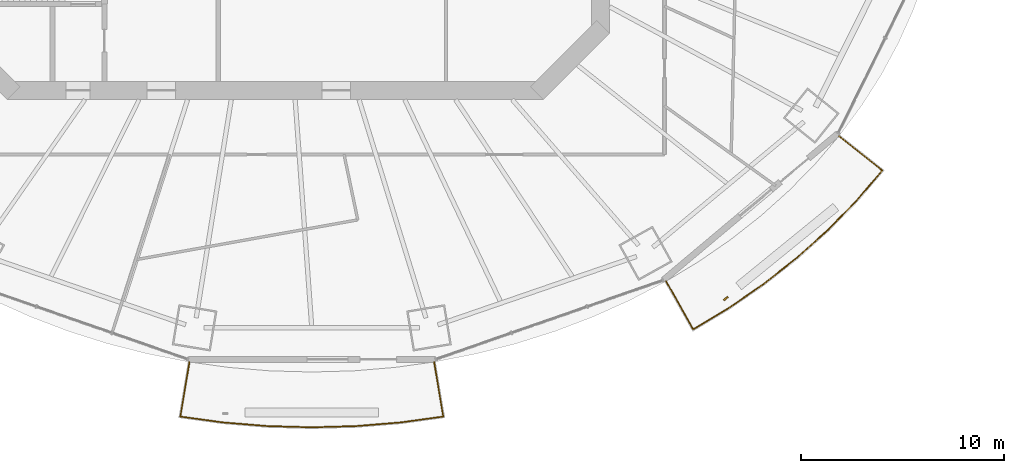
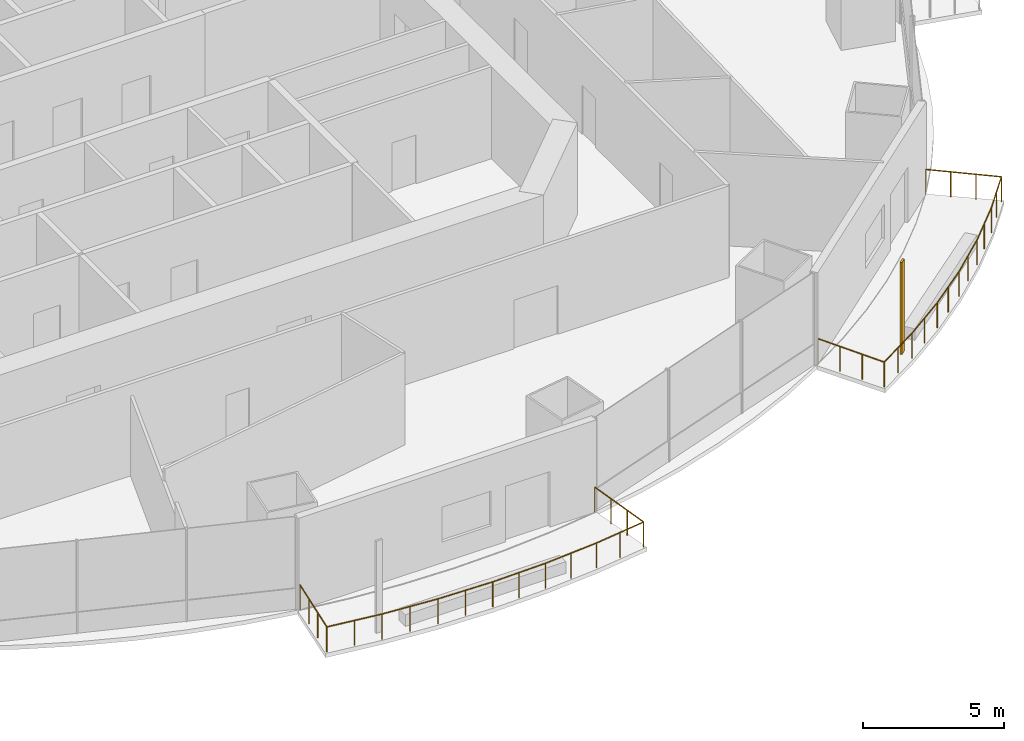
# One storey, part 16 of 20: 2 railings, 1 shading device.
"""IFC4 building model written with IfcOpenShell, lengths in metres."""

import ifcopenshell
import ifcopenshell.guid

model = None  # the IFC model being written
_history = None  # IfcOwnerHistory: only IFC2X3 demands one
_inside = {}  # id of a spatial element -> (the spatial element, [elements in it])
_under = {}  # id of a project, library or spatial element -> (it, [spatial elements below it])
_declared = {}  # id of a project -> (the project, [libraries it declares])
_typed = {}  # id of a type object -> (the type object, [elements of that type])
_made_of = {}  # id of a material, layer set ... -> (it, [elements and type objects made of it])


def new_model(schema):
    """Start an empty IFC model of exactly this schema.

    Asked for "IFC4X3", IfcOpenShell would pick the latest addendum, in which some entities
    have other attributes; the version numbers below select the first issue.
    IFC2X3 requires an IfcOwnerHistory on every rooted entity: one is made here for all.
    """
    global model, _history
    if schema == "IFC4X3":
        model = ifcopenshell.file(schema_version=(4, 3, 0, 0))
    else:
        model = ifcopenshell.file(schema=schema)
    _inside.clear()
    _under.clear()
    _declared.clear()
    _typed.clear()
    _made_of.clear()
    _history = None
    if model.schema == "IFC2X3":
        org = make("IfcOrganization", Name="unknown")
        user = make(
            "IfcPersonAndOrganization",
            ThePerson=make("IfcPerson", FamilyName="unknown"),
            TheOrganization=org,
        )
        app = make(
            "IfcApplication",
            ApplicationDeveloper=org,
            Version="unknown",
            ApplicationFullName="unknown",
            ApplicationIdentifier="unknown",
        )
        _history = make(
            "IfcOwnerHistory",
            OwningUser=user,
            OwningApplication=app,
            ChangeAction="ADDED",
            CreationDate=0,
        )
    return model


def make(cls, **values):
    """One entity of the class cls with the attributes given. An attribute that is None is left unset."""
    return model.create_entity(
        cls, **{name: value for name, value in values.items() if value is not None}
    )


def rooted(cls, **values):
    """An entity with a GlobalId (a new one), such as an element, a storey or a relation."""
    return make(cls, GlobalId=ifcopenshell.guid.new(), OwnerHistory=_history, **values)


def si_unit(unit_type, name, prefix=None):
    """IfcSIUnit, for example si_unit("LENGTHUNIT", "METRE", prefix="MILLI")."""
    return make("IfcSIUnit", UnitType=unit_type, Prefix=prefix, Name=name)


def assignment(units):
    """IfcUnitAssignment: the units of a project."""
    return None if units is None else make("IfcUnitAssignment", Units=units)


def point(xyz):
    """IfcCartesianPoint."""
    return None if xyz is None else make("IfcCartesianPoint", Coordinates=xyz)


def direction(xyz):
    """IfcDirection."""
    return None if xyz is None else make("IfcDirection", DirectionRatios=xyz)


def frame(location, z_axis=None, x_axis=None):
    """IfcAxis2Placement3D, a coordinate frame: its origin and axes. An axis left out is left unset."""
    return make(
        "IfcAxis2Placement3D",
        Location=point(location),
        Axis=direction(z_axis),
        RefDirection=direction(x_axis),
    )


def frame_2d(location, x_axis=None):
    """IfcAxis2Placement2D, a coordinate frame in the plane: its origin and x axis."""
    return make(
        "IfcAxis2Placement2D", Location=point(location), RefDirection=direction(x_axis)
    )


def origin():
    """The frame at (0, 0, 0) with its axes left unset."""
    return frame((0.0, 0.0, 0.0))


def origin_2d():
    """The frame at (0, 0) in the plane with its x axis left unset."""
    return frame_2d((0.0, 0.0))


def place(relative_to, where):
    """IfcLocalPlacement: puts the frame where relative to a parent placement (None: the world)."""
    return make(
        "IfcLocalPlacement", PlacementRelTo=relative_to, RelativePlacement=where
    )


def context(
    kind, dimensions, precision=None, world=None, true_north=None, identifier=None
):
    """IfcGeometricRepresentationContext, for example the 3D "Model" context."""
    return make(
        "IfcGeometricRepresentationContext",
        ContextIdentifier=identifier,
        ContextType=kind,
        CoordinateSpaceDimension=dimensions,
        Precision=precision,
        WorldCoordinateSystem=world,
        TrueNorth=true_north,
    )


def subcontext(parent, identifier, kind, view, scale=None):
    """IfcGeometricRepresentationSubContext, for example "Body" below "Model"."""
    return make(
        "IfcGeometricRepresentationSubContext",
        ContextIdentifier=identifier,
        ContextType=kind,
        ParentContext=parent,
        TargetScale=scale,
        TargetView=view,
    )


def project(units=None, contexts=None):
    """IfcProject with its units and contexts."""
    return rooted(
        "IfcProject",
        Name="project",
        RepresentationContexts=contexts,
        UnitsInContext=assignment(units),
    )


def spatial(cls, under=None, at=None, **own):
    """A site, building, storey or space (cls), placed at a placement, below another one or the project."""
    s = rooted(cls, ObjectPlacement=at, **own)
    if under is not None:
        _under.setdefault(under.id(), (under, []))[1].append(s)
    return s


def profile(cls, at=None, kind="AREA", **sizes):
    """A parametric profile (cls). Its sizes go by their IFC names, for example OverallWidth=200.0."""
    return make(cls, ProfileType=kind, Position=at, **sizes)


def rectangle(**sizes):
    """IfcRectangleProfileDef."""
    return profile("IfcRectangleProfileDef", **sizes)


def circle(**sizes):
    """IfcCircleProfileDef."""
    return profile("IfcCircleProfileDef", **sizes)


def extrude(swept, where, along, depth):
    """IfcExtrudedAreaSolid: the profile swept, set in the frame where, extruded along a direction by depth."""
    return make(
        "IfcExtrudedAreaSolid",
        SweptArea=swept,
        Position=where,
        ExtrudedDirection=direction(along),
        Depth=depth,
    )


def shape(context_of_items, identifier, shape_type, items):
    """IfcShapeRepresentation: the items that make up one representation, for example the "Body"."""
    return make(
        "IfcShapeRepresentation",
        ContextOfItems=context_of_items,
        RepresentationIdentifier=identifier,
        RepresentationType=shape_type,
        Items=items,
    )


def material(Name=None, Category=None):
    """IfcMaterial."""
    return make("IfcMaterial", Name=Name, Category=Category)


def material_profile(
    of_material, cross_section, Name=None, Category=None, Priority=None
):
    """IfcMaterialProfile: a cross section and its material."""
    return make(
        "IfcMaterialProfile",
        Name=Name,
        Material=of_material,
        Profile=cross_section,
        Priority=Priority,
        Category=Category,
    )


def profile_set(profiles, Name=None, composite=None):
    """IfcMaterialProfileSet."""
    return make(
        "IfcMaterialProfileSet",
        Name=Name,
        MaterialProfiles=profiles,
        CompositeProfile=composite,
    )


def made_of(thing, what):
    """Note that an element or type object is made of a material, layer set ...; save() writes the relation."""
    if what is not None:
        _made_of.setdefault(what.id(), (what, []))[1].append(thing)
    return thing


def type_object(cls, material=None, **own):
    """A type object (cls), such as IfcWallType, which elements share."""
    return made_of(rooted(cls, **own), material)


def element(
    cls,
    number,
    at=None,
    inside=None,
    cuts=None,
    type_object=None,
    material=None,
    context=None,
    identifier="Body",
    shape_type=None,
    held_by="IfcProductDefinitionShape",
    body=None,
    shapes=None,
    **own,
):
    """One element of the class cls, such as IfcWall. Its Tag is "e" and its number.

    at: its placement. inside: the storey or other place that contains it. cuts: it is an
    opening in that element (IfcRelVoidsElement). A single representation is given by context,
    identifier, shape_type and body (its items); several are given by shapes. held_by: the class
    of the entity that holds the representations. save() writes the other relations.
    """
    e = rooted(cls, Tag="e%d" % number, ObjectPlacement=at, **own)
    if body is not None:
        shapes = [shape(context, identifier, shape_type, body)]
    if shapes is not None:
        e.Representation = make(held_by, Representations=shapes)
    if inside is not None:
        _inside.setdefault(inside.id(), (inside, []))[1].append(e)
    if cuts is not None:
        rooted(
            "IfcRelVoidsElement", RelatingBuildingElement=cuts, RelatedOpeningElement=e
        )
    if type_object is not None:
        _typed.setdefault(type_object.id(), (type_object, []))[1].append(e)
    return made_of(e, material)


def aggregate(whole, parts):
    """IfcRelAggregates: a whole, such as a stair, and the parts it consists of."""
    return rooted("IfcRelAggregates", RelatingObject=whole, RelatedObjects=parts)


def save(model, path):
    """Write the relations noted so far, then the file.

    IfcRelAggregates (storeys below a building ...), IfcRelContainedInSpatialStructure (elements
    in a storey), IfcRelDefinesByType, IfcRelAssociatesMaterial and IfcRelDeclares: one each for
    every whole, place, type object, material and project.
    """
    for whole, parts in _under.values():
        aggregate(whole, parts)
    for where, things in _inside.values():
        rooted(
            "IfcRelContainedInSpatialStructure",
            RelatedElements=things,
            RelatingStructure=where,
        )
    for kind, things in _typed.values():
        rooted("IfcRelDefinesByType", RelatedObjects=things, RelatingType=kind)
    for what, things in _made_of.values():
        rooted("IfcRelAssociatesMaterial", RelatedObjects=things, RelatingMaterial=what)
    for by, libraries in _declared.values():
        rooted("IfcRelDeclares", RelatingContext=by, RelatedDefinitions=libraries)
    model.write(path)


model = new_model("IFC4")

# Units and contexts
model_context = context("Model", 3, precision=1e-05, world=origin(), true_north=direction((0.0, 1.0)))
body_context = subcontext(model_context, "Body", "Model", "MODEL_VIEW")
ifc_project = project(units=[si_unit("LENGTHUNIT", "METRE"), si_unit("AREAUNIT", "SQUARE_METRE"), si_unit("VOLUMEUNIT", "CUBIC_METRE"), si_unit("PLANEANGLEUNIT", "RADIAN"), si_unit("MASSUNIT", "GRAM", prefix="KILO")], contexts=[model_context])

# Site, building, storey
site_placement = place(None, origin())
site = spatial("IfcSite", under=ifc_project, at=site_placement, CompositionType="ELEMENT")
building_placement = place(site_placement, origin())
building = spatial("IfcBuilding", under=site, at=building_placement, Name="Marenthal Gate Tower", CompositionType="ELEMENT")
storey_placement = place(building_placement, frame((0.0, 0.0, 210.85009765625)))
storey = spatial("IfcBuildingStorey", under=building, at=storey_placement, Name="L46", CompositionType="ELEMENT", Elevation=210.85009765625)

# Railings
ifc_material_1 = material(Name="Stainless steel", Category="steel")
railing_type = type_object("IfcRailingType", Name="Balcony guard 1100", PredefinedType="GUARDRAIL", material=ifc_material_1)
railing_1_placement = place(storey_placement, frame((7.817626953125, -26.35888671875, 0.0)))
element("IfcRailing", 1, at=railing_1_placement, inside=storey, type_object=railing_type, Name="Balcony guard L46 bay 12", PredefinedType="GUARDRAIL", context=body_context, shape_type="SweptSolid", body=[
    extrude(circle(Radius=0.02392578125, at=origin_2d()), frame((0.0, 0.0, 1.076171875), z_axis=(0.164963320777, -0.986189863276, -0.014719251691), x_axis=(0.986296712796, 0.164981193859, 0.0)), (0.0, 0.0, 1.0), 2.72021484375),
    extrude(circle(Radius=0.02392578125, at=origin_2d()), frame((0.44873046875, -2.6826171875, 1.0361328125), z_axis=(-0.990663789329, -0.136327754009, 0.0), x_axis=(0.136327754009, -0.990663789329, 0.0)), (0.0, 0.0, 1.0), 2.10791015625),
    extrude(circle(Radius=0.02392578125, at=origin_2d()), frame((-1.639404296875, -2.969970703125, 1.0361328125), z_axis=(-0.996589397045, -0.082520141157, 0.0), x_axis=(0.082520141157, -0.996589397045, 0.0)), (0.0, 0.0, 1.0), 2.1923828125),
    extrude(circle(Radius=0.02392578125, at=origin_2d()), frame((-3.82421875, -3.15087890625, 1.0361328125), z_axis=(-0.999622272762, -0.027482936484, 0.0), x_axis=(0.027482936484, -0.999622272762, 0.0)), (0.0, 0.0, 1.0), 2.194091796875),
    extrude(circle(Radius=0.02392578125, at=origin_2d()), frame((-6.017578125, -3.211181640625, 1.0361328125), z_axis=(-0.999622356789, 0.027479880036, 0.0), x_axis=(-0.027479880036, -0.999622356789, 0.0)), (0.0, 0.0, 1.0), 2.1943359375),
    extrude(circle(Radius=0.02392578125, at=origin_2d()), frame((-8.211181640625, -3.15087890625, 1.0361328125), z_axis=(-0.996588638583, 0.082529300535, 0.0), x_axis=(-0.082529300535, -0.996588638583, 0.0)), (0.0, 0.0, 1.0), 2.192138671875),
    extrude(circle(Radius=0.02392578125, at=origin_2d()), frame((-10.395751953125, -2.969970703125, 1.0361328125), z_axis=(-0.990663789329, 0.136327754009, 0.0), x_axis=(-0.136327754009, -0.990663789329, 0.0)), (0.0, 0.0, 1.0), 2.10791015625),
    extrude(circle(Radius=0.02392578125, at=origin_2d()), frame((-12.48388671875, -2.6826171875, 1.0361328125), z_axis=(0.164876009703, 0.98620446087, 0.014719469565), x_axis=(-0.986311315136, 0.164893873854, 0.0)), (0.0, 0.0, 1.0), 2.72021484375),
    extrude(circle(Radius=0.02099609375, at=origin_2d()), origin(), (0.0, 0.0, 1.0), 1.052001953125),
    extrude(circle(Radius=0.02099609375, at=origin_2d()), frame((0.149658203125, -0.894287109375, -0.013427734375)), (0.0, 0.0, 1.0), 1.052001953125),
    extrude(circle(Radius=0.02099609375, at=origin_2d()), frame((0.299072265625, -1.788330078125, -0.026611328125)), (0.0, 0.0, 1.0), 1.052001953125),
    extrude(circle(Radius=0.02099609375, at=origin_2d()), frame((0.44873046875, -2.6826171875, -0.0400390625)), (0.0, 0.0, 1.0), 1.052001953125),
    extrude(circle(Radius=0.02099609375, at=origin_2d()), frame((-0.59521484375, -2.826171875, -0.0400390625)), (0.0, 0.0, 1.0), 1.052001953125),
    extrude(circle(Radius=0.02099609375, at=origin_2d()), frame((-1.639404296875, -2.969970703125, -0.0400390625)), (0.0, 0.0, 1.0), 1.052001953125),
    extrude(circle(Radius=0.02099609375, at=origin_2d()), frame((-2.73193359375, -3.060546875, -0.0400390625)), (0.0, 0.0, 1.0), 1.052001953125),
    extrude(circle(Radius=0.02099609375, at=origin_2d()), frame((-3.82421875, -3.15087890625, -0.0400390625)), (0.0, 0.0, 1.0), 1.052001953125),
    extrude(circle(Radius=0.02099609375, at=origin_2d()), frame((-4.9208984375, -3.18115234375, -0.0400390625)), (0.0, 0.0, 1.0), 1.052001953125),
    extrude(circle(Radius=0.02099609375, at=origin_2d()), frame((-6.017578125, -3.211181640625, -0.0400390625)), (0.0, 0.0, 1.0), 1.052001953125),
    extrude(circle(Radius=0.02099609375, at=origin_2d()), frame((-7.1142578125, -3.18115234375, -0.0400390625)), (0.0, 0.0, 1.0), 1.052001953125),
    extrude(circle(Radius=0.02099609375, at=origin_2d()), frame((-8.211181640625, -3.15087890625, -0.0400390625)), (0.0, 0.0, 1.0), 1.052001953125),
    extrude(circle(Radius=0.02099609375, at=origin_2d()), frame((-9.303466796875, -3.060546875, -0.0400390625)), (0.0, 0.0, 1.0), 1.052001953125),
    extrude(circle(Radius=0.02099609375, at=origin_2d()), frame((-10.395751953125, -2.969970703125, -0.0400390625)), (0.0, 0.0, 1.0), 1.052001953125),
    extrude(circle(Radius=0.02099609375, at=origin_2d()), frame((-11.43994140625, -2.826171875, -0.0400390625)), (0.0, 0.0, 1.0), 1.052001953125),
    extrude(circle(Radius=0.02099609375, at=origin_2d()), frame((-12.48388671875, -2.6826171875, -0.0400390625)), (0.0, 0.0, 1.0), 1.052001953125),
    extrude(circle(Radius=0.02099609375, at=origin_2d()), frame((-12.33447265625, -1.788330078125, -0.026611328125)), (0.0, 0.0, 1.0), 1.052001953125),
    extrude(circle(Radius=0.02099609375, at=origin_2d()), frame((-12.184814453125, -0.894287109375, -0.013427734375)), (0.0, 0.0, 1.0), 1.052001953125),
    extrude(circle(Radius=0.02099609375, at=origin_2d()), frame((-12.035400390625, 0.0, 0.0)), (0.0, 0.0, 1.0), 1.052001953125),
])
railing_2_placement = place(storey_placement, frame((27.733642578125, -15.246337890625, 0.0)))
element("IfcRailing", 2, at=railing_2_placement, inside=storey, type_object=railing_type, Name="Balcony guard L46 bay 14", PredefinedType="GUARDRAIL", context=body_context, shape_type="SweptSolid", body=[
    extrude(circle(Radius=0.02392578125, at=origin_2d()), frame((0.0, 0.0, 1.076171875), z_axis=(0.782820273023, -0.622073757432, -0.014719390596), x_axis=(0.622141157777, 0.782905089905, 0.0)), (0.0, 0.0, 1.0), 2.72021484375),
    extrude(circle(Radius=0.02392578125, at=origin_2d()), frame((2.12939453125, -1.692138671875, 1.0361328125), z_axis=(-0.650003821806, -0.759930938729, 0.0), x_axis=(0.759930938729, -0.650003821806, 0.0)), (0.0, 0.0, 1.0), 1.941162109375),
    extrude(circle(Radius=0.02392578125, at=origin_2d()), frame((0.86767578125, -3.167236328125, 1.0361328125), z_axis=(-0.698730968348, -0.715384535667, 0.0), x_axis=(0.715384535667, -0.698730968348, 0.0)), (0.0, 0.0, 1.0), 2.037841796875),
    extrude(circle(Radius=0.02392578125, at=origin_2d()), frame((-0.55615234375, -4.625, 1.0361328125), z_axis=(-0.744433020663, -0.667697145229, 0.0), x_axis=(0.667697145229, -0.744433020663, 0.0)), (0.0, 0.0, 1.0), 2.05517578125),
    extrude(circle(Radius=0.02392578125, at=origin_2d()), frame((-2.086181640625, -5.997314453125, 1.0361328125), z_axis=(-0.785888916209, -0.618367699173, 0.0), x_axis=(0.618367699173, -0.785888916209, 0.0)), (0.0, 0.0, 1.0), 2.072265625),
    extrude(circle(Radius=0.02392578125, at=origin_2d()), frame((-3.71484375, -7.27880859375, 1.0361328125), z_axis=(-0.823321977979, -0.567574594724, 0.0), x_axis=(0.567574594724, -0.823321977979, 0.0)), (0.0, 0.0, 1.0), 2.089599609375),
    extrude(circle(Radius=0.02392578125, at=origin_2d()), frame((-5.435302734375, -8.46484375, 1.0361328125), z_axis=(-0.856139874466, -0.51674414883, 0.0), x_axis=(0.51674414883, -0.856139874466, 0.0)), (0.0, 0.0, 1.0), 2.0263671875),
    extrude(circle(Radius=0.02392578125, at=origin_2d()), frame((-7.170166015625, -9.511962890625, 1.0361328125), z_axis=(-0.489692426364, 0.871770992902, 0.014719493754), x_axis=(-0.871865448727, -0.489745484223, 0.0)), (0.0, 0.0, 1.0), 2.72021484375),
    extrude(circle(Radius=0.02099609375, at=origin_2d()), origin(), (0.0, 0.0, 1.0), 1.052001953125),
    extrude(circle(Radius=0.02099609375, at=origin_2d()), frame((0.709716796875, -0.56396484375, -0.013427734375)), (0.0, 0.0, 1.0), 1.052001953125),
    extrude(circle(Radius=0.02099609375, at=origin_2d()), frame((1.419677734375, -1.128173828125, -0.026611328125)), (0.0, 0.0, 1.0), 1.052001953125),
    extrude(circle(Radius=0.02099609375, at=origin_2d()), frame((2.12939453125, -1.692138671875, -0.0400390625)), (0.0, 0.0, 1.0), 1.052001953125),
    extrude(circle(Radius=0.02099609375, at=origin_2d()), frame((1.49853515625, -2.4296875, -0.0400390625)), (0.0, 0.0, 1.0), 1.052001953125),
    extrude(circle(Radius=0.02099609375, at=origin_2d()), frame((0.86767578125, -3.167236328125, -0.0400390625)), (0.0, 0.0, 1.0), 1.052001953125),
    extrude(circle(Radius=0.02099609375, at=origin_2d()), frame((0.15576171875, -3.89599609375, -0.0400390625)), (0.0, 0.0, 1.0), 1.052001953125),
    extrude(circle(Radius=0.02099609375, at=origin_2d()), frame((-0.55615234375, -4.625, -0.0400390625)), (0.0, 0.0, 1.0), 1.052001953125),
    extrude(circle(Radius=0.02099609375, at=origin_2d()), frame((-1.3212890625, -5.31103515625, -0.0400390625)), (0.0, 0.0, 1.0), 1.052001953125),
    extrude(circle(Radius=0.02099609375, at=origin_2d()), frame((-2.086181640625, -5.997314453125, -0.0400390625)), (0.0, 0.0, 1.0), 1.052001953125),
    extrude(circle(Radius=0.02099609375, at=origin_2d()), frame((-2.900390625, -6.63818359375, -0.0400390625)), (0.0, 0.0, 1.0), 1.052001953125),
    extrude(circle(Radius=0.02099609375, at=origin_2d()), frame((-3.71484375, -7.27880859375, -0.0400390625)), (0.0, 0.0, 1.0), 1.052001953125),
    extrude(circle(Radius=0.02099609375, at=origin_2d()), frame((-4.5751953125, -7.871826171875, -0.0400390625)), (0.0, 0.0, 1.0), 1.052001953125),
    extrude(circle(Radius=0.02099609375, at=origin_2d()), frame((-5.435302734375, -8.46484375, -0.0400390625)), (0.0, 0.0, 1.0), 1.052001953125),
    extrude(circle(Radius=0.02099609375, at=origin_2d()), frame((-6.302734375, -8.98828125, -0.0400390625)), (0.0, 0.0, 1.0), 1.052001953125),
    extrude(circle(Radius=0.02099609375, at=origin_2d()), frame((-7.170166015625, -9.511962890625, -0.0400390625)), (0.0, 0.0, 1.0), 1.052001953125),
    extrude(circle(Radius=0.02099609375, at=origin_2d()), frame((-7.6142578125, -8.721435546875, -0.026611328125)), (0.0, 0.0, 1.0), 1.052001953125),
    extrude(circle(Radius=0.02099609375, at=origin_2d()), frame((-8.05810546875, -7.93115234375, -0.013427734375)), (0.0, 0.0, 1.0), 1.052001953125),
    extrude(circle(Radius=0.02099609375, at=origin_2d()), frame((-8.502197265625, -7.140625, 0.0)), (0.0, 0.0, 1.0), 1.052001953125),
])

# Shading device
ifc_material_2 = material(Name="Terracotta", Category="masonry")
ifc_material_profile = material_profile(ifc_material_2, rectangle(XDim=0.25, YDim=0.080078125, at=origin_2d()), Name="Terracotta baguette 250x80")
ifc_profile_set = profile_set([ifc_material_profile], Name="Terracotta")
shading_device_type = type_object("IfcShadingDeviceType", Name="Terracotta BAGUETTE SCREEN 250x80", PredefinedType="USERDEFINED", material=ifc_profile_set)
shading_device_placement = place(storey_placement, frame((22.172607421875, -23.237548828125, -0.0400390625), z_axis=(0.0, 0.0, 1.0), x_axis=(0.765627996549, 0.643283585131, 0.0)))
element("IfcShadingDevice", 3, at=shading_device_placement, inside=storey, type_object=shading_device_type, Name="Terracotta BAGUETTE L46 bay 14L", ObjectType="BAGUETTE SCREEN", PredefinedType="USERDEFINED", context=body_context, shape_type="SweptSolid", body=[
    extrude(rectangle(XDim=0.25, YDim=0.080078125, at=origin_2d()), origin(), (0.0, 0.0, 1.0), 3.969970703125),
])

save(model, "model.ifc")
